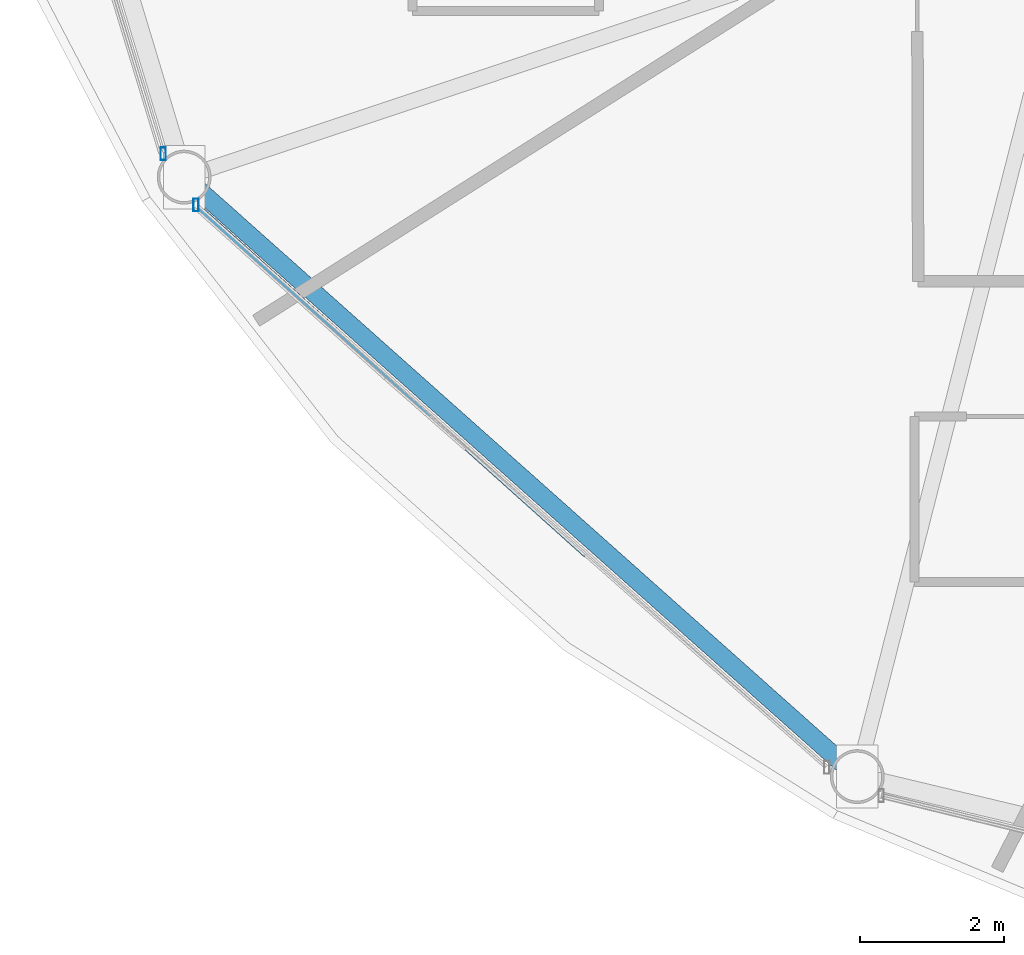
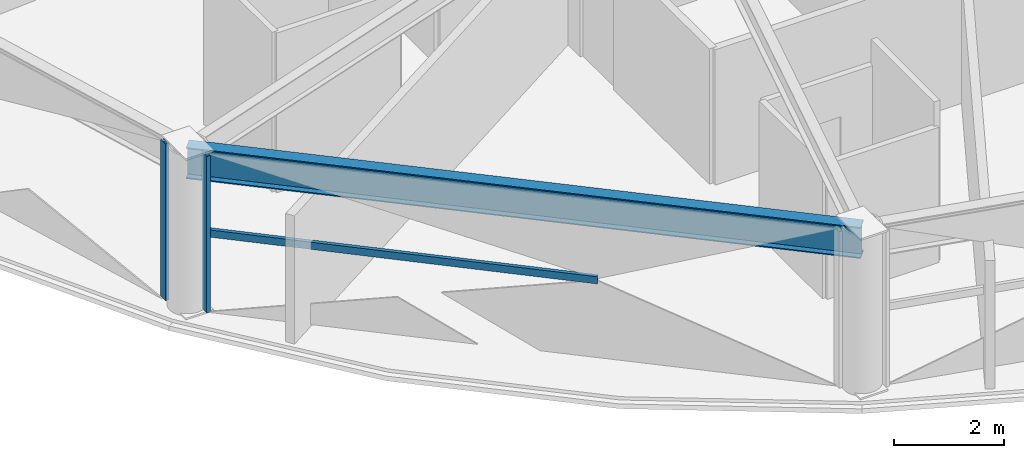
# One storey, part 3 of 32: 3 members, 1 beam, 2 elements without a shape of their own.
"""IFC4 building model written with IfcOpenShell, lengths in metres."""

from ifc_helpers import new_model, si_unit, direction, frame, origin, origin_2d, place, context, subcontext, project, spatial, hollow_rectangle, i_section, extrude, material, layer, layer_set, material_profile, profile_set, type_object, element, aggregate, save


model = new_model("IFC4")

# Units and contexts
model_context = context("Model", 3, precision=1e-05, world=origin(), true_north=direction((0.0, 1.0)))
body_context = subcontext(model_context, "Body", "Model", "MODEL_VIEW")
ifc_project = project(units=[si_unit("LENGTHUNIT", "METRE"), si_unit("AREAUNIT", "SQUARE_METRE"), si_unit("VOLUMEUNIT", "CUBIC_METRE"), si_unit("PLANEANGLEUNIT", "RADIAN"), si_unit("MASSUNIT", "GRAM", prefix="KILO")], contexts=[model_context])

# Site, building, storey
site_placement = place(None, origin())
site = spatial("IfcSite", under=ifc_project, at=site_placement, CompositionType="ELEMENT")
building_placement = place(site_placement, origin())
building = spatial("IfcBuilding", under=site, at=building_placement, Name="Vantalir Tower", CompositionType="ELEMENT")
storey_placement = place(building_placement, frame((0.0, 0.0, 108.449951171875)))
storey = spatial("IfcBuildingStorey", under=building, at=storey_placement, Name="L26", CompositionType="ELEMENT", Elevation=108.449951171875)

# Beam
ifc_material_1 = material(Name="Steel S460", Category="steel")
ifc_material_profile_1 = material_profile(ifc_material_1, i_section(OverallWidth=0.256103515625, OverallDepth=0.693115234375, WebThickness=0.014404296875, FlangeThickness=0.023681640625, at=origin_2d()), Name="Steel S460")
ifc_profile_set_1 = profile_set([ifc_material_profile_1], Name="Steel S460")
beam_type = type_object("IfcBeamType", Name="BM-RG-686x254", PredefinedType="USERDEFINED", material=ifc_profile_set_1)
beam_placement = place(storey_placement, frame((9.340087890625, 13.60595703125, 3.22314453125), z_axis=(0.746784993974, -0.665065540211, 0.0), x_axis=(0.665065540211, 0.746784993974, 0.0)))
element("IfcBeam", 1, at=beam_placement, inside=storey, type_object=beam_type, Name="L26 Circumferential Ring Girder 08", ObjectType="GIRDER", PredefinedType="USERDEFINED", context=body_context, shape_type="SweptSolid", body=[
    extrude(i_section(OverallWidth=0.256103515625, OverallDepth=0.693115234375, WebThickness=0.014404296875, FlangeThickness=0.023681640625, at=origin_2d()), origin(), (0.0, 0.0, 1.0), 12.541748046875),
])

# Curtain wall, member
ifc_material_2 = material(Name="Champagne-silver PVDF aluminium and double-silver Low-E glass", Category="aluminium")
ifc_layer = layer(ifc_material_2, 0.199951171875)
ifc_layer_set = layer_set([ifc_layer], Name="Champagne-silver PVDF aluminium and double-silver Low-E glass")
curtain_wall_type = type_object("IfcCurtainWallType", Name="CW-DIAMOND-Z2", PredefinedType="USERDEFINED", material=ifc_layer_set)
curtain_wall_1_placement = place(storey_placement, origin())
curtain_wall_1 = element("IfcCurtainWall", 2, at=curtain_wall_1_placement, inside=storey, type_object=curtain_wall_type, Name="L26 Quilted Pyramid-Diamond Curtain Wall S07", ObjectType="UNITISED CURTAIN WALL", PredefinedType="USERDEFINED")
ifc_material_3 = material(Name="Champagne-silver PVDF aluminium 6063-T6", Category="aluminium")
ifc_material_profile_2 = material_profile(ifc_material_3, hollow_rectangle(XDim=0.074951171875, YDim=0.179931640625, WallThickness=0.00390625, at=origin_2d()), Name="Champagne-silver PVDF aluminium 6063-T6")
ifc_profile_set_2 = profile_set([ifc_material_profile_2], Name="Champagne-silver PVDF aluminium 6063-T6")
member_type_1 = type_object("IfcMemberType", Name="CWM-180x75", PredefinedType="MULLION", material=ifc_profile_set_2)
member_1_placement = place(storey_placement, frame((9.049072265625, 13.931884765625, 0.045166015625), z_axis=(0.0, 0.0, 1.0), x_axis=(1.0, 0.0, 0.0)))
member_1 = element("IfcMember", 3, at=member_1_placement, type_object=member_type_1, Name="CW-L26-S07 Mullion 2", PredefinedType="MULLION", context=body_context, shape_type="SweptSolid", body=[
    extrude(hollow_rectangle(XDim=0.074951171875, YDim=0.179931640625, WallThickness=0.00390625, at=origin_2d()), origin(), (0.0, 0.0, 1.0), 3.47998046875),
])
aggregate(curtain_wall_1, [member_1])

# Curtain wall, members
curtain_wall_2_placement = place(storey_placement, origin())
curtain_wall_2 = element("IfcCurtainWall", 4, at=curtain_wall_2_placement, inside=storey, type_object=curtain_wall_type, Name="L26 Quilted Pyramid-Diamond Curtain Wall S08", ObjectType="UNITISED CURTAIN WALL", PredefinedType="USERDEFINED")
member_2_placement = place(storey_placement, frame((9.50390625, 13.218017578125, 0.045166015625), z_axis=(0.0, 0.0, 1.0), x_axis=(1.0, 0.0, 0.0)))
member_2 = element("IfcMember", 5, at=member_2_placement, type_object=member_type_1, Name="CW-L26-S08 Mullion 1", PredefinedType="MULLION", context=body_context, shape_type="SweptSolid", body=[
    extrude(hollow_rectangle(XDim=0.074951171875, YDim=0.179931640625, WallThickness=0.00390625, at=origin_2d()), origin(), (0.0, 0.0, 1.0), 3.47998046875),
])
ifc_material_profile_3 = material_profile(ifc_material_3, hollow_rectangle(XDim=0.074951171875, YDim=0.159912109375, WallThickness=0.00390625, at=origin_2d()), Name="Champagne-silver PVDF aluminium 6063-T6")
ifc_profile_set_3 = profile_set([ifc_material_profile_3], Name="Champagne-silver PVDF aluminium 6063-T6")
member_type_2 = type_object("IfcMemberType", Name="CWT-160x75", PredefinedType="USERDEFINED", material=ifc_profile_set_3)
member_3_placement = place(storey_placement, frame((9.50390625, 13.218017578125, 1.78515625), z_axis=(0.744284112495, -0.667863129606, 0.0), x_axis=(0.667863129606, 0.744284112495, 0.0)))
member_3 = element("IfcMember", 6, at=member_3_placement, type_object=member_type_2, Name="CW-L26-S08 Pyramid Fold Ridge Transom", ObjectType="TRANSOM", PredefinedType="USERDEFINED", context=body_context, shape_type="SweptSolid", body=[
    extrude(hollow_rectangle(XDim=0.074951171875, YDim=0.159912109375, WallThickness=0.00390625, at=origin_2d()), origin(), (0.0, 0.0, 1.0), 7.290283203125),
])
aggregate(curtain_wall_2, [member_2, member_3])

save(model, "model.ifc")
